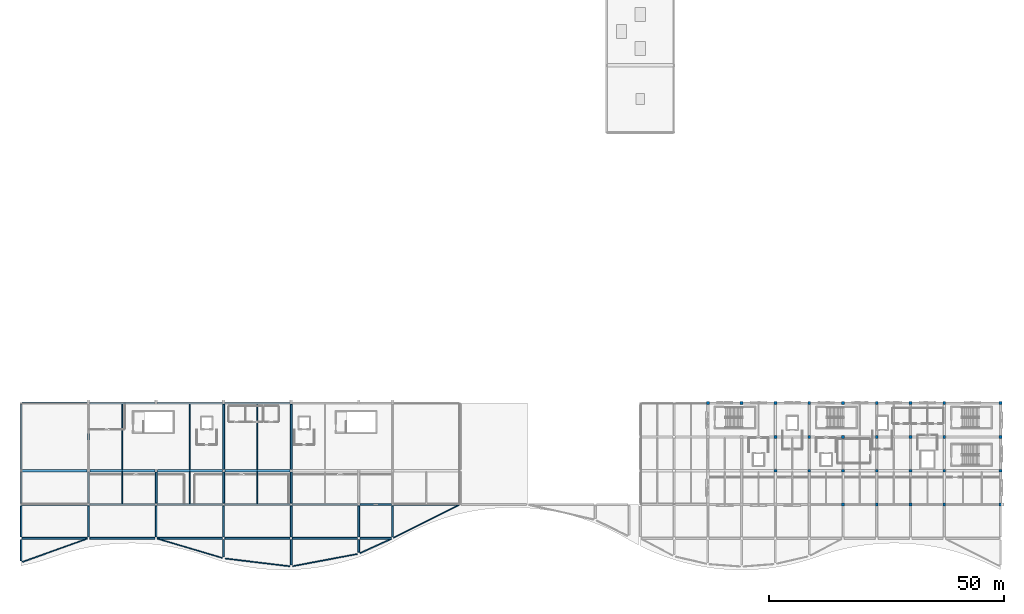
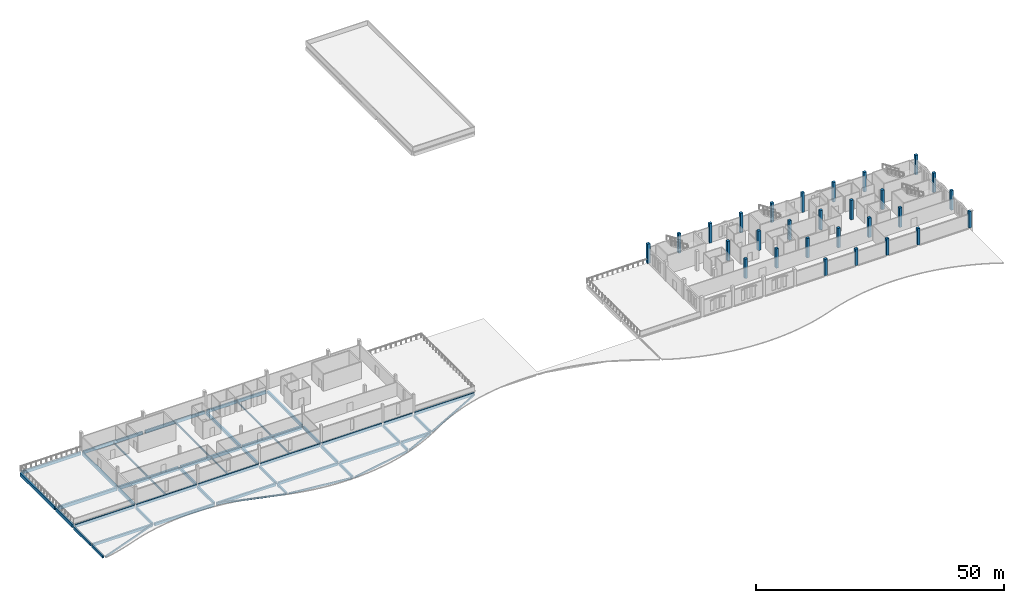
# One storey, part 2 of 23: 53 beams, 28 columns.
"""IFC4 building model written with IfcOpenShell, lengths in metres."""

from ifc_helpers import new_model, si_unit, direction, frame, origin, origin_2d, place, context, subcontext, project, spatial, rectangle, hollow_rectangle, i_section, extrude, material, material_profile, profile_set, type_object, element, save


model = new_model("IFC4")

# Units and contexts
model_context = context("Model", 3, precision=1e-05, world=origin(), true_north=direction((0.0, 1.0)))
body_context = subcontext(model_context, "Body", "Model", "MODEL_VIEW")
ifc_project = project(units=[si_unit("LENGTHUNIT", "METRE"), si_unit("AREAUNIT", "SQUARE_METRE"), si_unit("VOLUMEUNIT", "CUBIC_METRE"), si_unit("PLANEANGLEUNIT", "RADIAN"), si_unit("MASSUNIT", "GRAM", prefix="KILO")], contexts=[model_context])

# Site, building, storey
site_placement = place(None, origin())
site = spatial("IfcSite", under=ifc_project, at=site_placement, CompositionType="ELEMENT")
building_placement = place(site_placement, origin())
building = spatial("IfcBuilding", under=site, at=building_placement, Name="Cendralis Lancet Convention Centre", CompositionType="ELEMENT")
storey_placement = place(building_placement, frame((0.0, 0.0, 19.800048828125)))
storey = spatial("IfcBuildingStorey", under=building, at=storey_placement, Name="L04", CompositionType="ELEMENT", Elevation=19.800048828125)

# Columns
ifc_material_1 = material(Name="Concrete G40 (C40/50)", Category="concrete")
ifc_material_profile_1 = material_profile(ifc_material_1, rectangle(XDim=0.60009765625, YDim=0.60009765625, at=origin_2d()), Name="RC 600x600")
ifc_profile_set_1 = profile_set([ifc_material_profile_1], Name="Concrete G40 (C40/50)")
column_type_1 = type_object("IfcColumnType", Name="STR-COL-C09", PredefinedType="COLUMN", material=ifc_profile_set_1)
for number, where, z_axis, x_axis, name in (
    (1, (146.39990234375, 36.0, 0.0), (0.0, 0.0, 1.0), (1.0, 0.0, 0.0), "L04 Column C09 at 146.4,36.0"),
    (2, (153.60009765625, 36.0, 0.0), (0.0, 0.0, 1.0), (1.0, 0.0, 0.0), "L04 Column C09 at 153.6,36.0"),
    (3, (160.800048828125, 36.0, 0.0), (0.0, 0.0, 1.0), (1.0, 0.0, 0.0), "L04 Column C09 at 160.8,36.0"),
    (4, (168.0, 36.0, 0.0), (0.0, 0.0, 1.0), (1.0, 0.0, 0.0), "L04 Column C09 at 168.0,36.0"),
):
    element("IfcColumn", number, at=place(storey_placement, frame(where, z_axis=z_axis, x_axis=x_axis)), inside=storey, type_object=column_type_1, Name=name, PredefinedType="COLUMN", context=body_context, shape_type="SweptSolid", body=[
        extrude(rectangle(XDim=0.60009765625, YDim=0.60009765625, at=origin_2d()), origin(), (0.0, 0.0, 1.0), 4.800048828125),
    ])
column_1_placement = place(storey_placement, frame((175.199951171875, 14.39990234375, 0.0), z_axis=(0.0, 0.0, 1.0), x_axis=(1.0, 0.0, 0.0)))
element("IfcColumn", 5, at=column_1_placement, inside=storey, type_object=column_type_1, Name="L04 Column C09 at 175.2,14.4", PredefinedType="COLUMN", context=body_context, shape_type="SweptSolid", body=[
    extrude(rectangle(XDim=0.60009765625, YDim=0.60009765625, at=origin_2d()), origin(), (0.0, 0.0, 1.0), 4.050048828125),
])
column_2_placement = place(storey_placement, frame((175.199951171875, 36.0, 0.0), z_axis=(0.0, 0.0, 1.0), x_axis=(1.0, 0.0, 0.0)))
element("IfcColumn", 6, at=column_2_placement, inside=storey, type_object=column_type_1, Name="L04 Column C09 at 175.2,36.0", PredefinedType="COLUMN", context=body_context, shape_type="SweptSolid", body=[
    extrude(rectangle(XDim=0.60009765625, YDim=0.60009765625, at=origin_2d()), origin(), (0.0, 0.0, 1.0), 4.800048828125),
])
column_3_placement = place(storey_placement, frame((182.39990234375, 14.39990234375, 0.0), z_axis=(0.0, 0.0, 1.0), x_axis=(1.0, 0.0, 0.0)))
element("IfcColumn", 7, at=column_3_placement, inside=storey, type_object=column_type_1, Name="L04 Column C09 at 182.4,14.4", PredefinedType="COLUMN", context=body_context, shape_type="SweptSolid", body=[
    extrude(rectangle(XDim=0.60009765625, YDim=0.60009765625, at=origin_2d()), origin(), (0.0, 0.0, 1.0), 4.050048828125),
])
column_4_placement = place(storey_placement, frame((182.39990234375, 36.0, 0.0), z_axis=(0.0, 0.0, 1.0), x_axis=(1.0, 0.0, 0.0)))
element("IfcColumn", 8, at=column_4_placement, inside=storey, type_object=column_type_1, Name="L04 Column C09 at 182.4,36.0", PredefinedType="COLUMN", context=body_context, shape_type="SweptSolid", body=[
    extrude(rectangle(XDim=0.60009765625, YDim=0.60009765625, at=origin_2d()), origin(), (0.0, 0.0, 1.0), 4.800048828125),
])
column_5_placement = place(storey_placement, frame((189.60009765625, 14.39990234375, 0.0), z_axis=(0.0, 0.0, 1.0), x_axis=(1.0, 0.0, 0.0)))
element("IfcColumn", 9, at=column_5_placement, inside=storey, type_object=column_type_1, Name="L04 Column C09 at 189.6,14.4", PredefinedType="COLUMN", context=body_context, shape_type="SweptSolid", body=[
    extrude(rectangle(XDim=0.60009765625, YDim=0.60009765625, at=origin_2d()), origin(), (0.0, 0.0, 1.0), 4.050048828125),
])
column_6_placement = place(storey_placement, frame((189.60009765625, 36.0, 0.0), z_axis=(0.0, 0.0, 1.0), x_axis=(1.0, 0.0, 0.0)))
element("IfcColumn", 10, at=column_6_placement, inside=storey, type_object=column_type_1, Name="L04 Column C09 at 189.6,36.0", PredefinedType="COLUMN", context=body_context, shape_type="SweptSolid", body=[
    extrude(rectangle(XDim=0.60009765625, YDim=0.60009765625, at=origin_2d()), origin(), (0.0, 0.0, 1.0), 4.800048828125),
])
column_7_placement = place(storey_placement, frame((196.800048828125, 14.39990234375, 0.0), z_axis=(0.0, 0.0, 1.0), x_axis=(1.0, 0.0, 0.0)))
element("IfcColumn", 11, at=column_7_placement, inside=storey, type_object=column_type_1, Name="L04 Column C09 at 196.8,14.4", PredefinedType="COLUMN", context=body_context, shape_type="SweptSolid", body=[
    extrude(rectangle(XDim=0.60009765625, YDim=0.60009765625, at=origin_2d()), origin(), (0.0, 0.0, 1.0), 4.050048828125),
])
column_8_placement = place(storey_placement, frame((196.800048828125, 36.0, 0.0), z_axis=(0.0, 0.0, 1.0), x_axis=(1.0, 0.0, 0.0)))
element("IfcColumn", 12, at=column_8_placement, inside=storey, type_object=column_type_1, Name="L04 Column C09 at 196.8,36.0", PredefinedType="COLUMN", context=body_context, shape_type="SweptSolid", body=[
    extrude(rectangle(XDim=0.60009765625, YDim=0.60009765625, at=origin_2d()), origin(), (0.0, 0.0, 1.0), 4.800048828125),
])
column_9_placement = place(storey_placement, frame((208.800048828125, 14.39990234375, 0.0), z_axis=(0.0, 0.0, 1.0), x_axis=(1.0, 0.0, 0.0)))
element("IfcColumn", 13, at=column_9_placement, inside=storey, type_object=column_type_1, Name="L04 Column C09 at 208.8,14.4", PredefinedType="COLUMN", context=body_context, shape_type="SweptSolid", body=[
    extrude(rectangle(XDim=0.60009765625, YDim=0.60009765625, at=origin_2d()), origin(), (0.0, 0.0, 1.0), 4.050048828125),
])
for number, where, z_axis, x_axis, name in (
    (14, (208.800048828125, 21.60009765625, 0.0), (0.0, 0.0, 1.0), (1.0, 0.0, 0.0), "L04 Column C09 at 208.8,21.6"),
    (15, (208.800048828125, 28.800048828125, 0.0), (0.0, 0.0, 1.0), (1.0, 0.0, 0.0), "L04 Column C09 at 208.8,28.8"),
    (16, (208.800048828125, 36.0, 0.0), (0.0, 0.0, 1.0), (1.0, 0.0, 0.0), "L04 Column C09 at 208.8,36.0"),
):
    element("IfcColumn", number, at=place(storey_placement, frame(where, z_axis=z_axis, x_axis=x_axis)), inside=storey, type_object=column_type_1, Name=name, PredefinedType="COLUMN", context=body_context, shape_type="SweptSolid", body=[
        extrude(rectangle(XDim=0.60009765625, YDim=0.60009765625, at=origin_2d()), origin(), (0.0, 0.0, 1.0), 4.800048828125),
    ])
ifc_material_profile_2 = material_profile(ifc_material_1, rectangle(XDim=0.60009765625, YDim=0.60009765625, at=origin_2d()), Name="RC 600x600")
ifc_profile_set_2 = profile_set([ifc_material_profile_2], Name="Concrete G40 (C40/50)")
column_type_2 = type_object("IfcColumnType", Name="STR-COL-C09-INT", PredefinedType="COLUMN", material=ifc_profile_set_2)
for number, where, z_axis, x_axis, name in (
    (17, (160.800048828125, 21.60009765625, 0.0), (0.0, 0.0, 1.0), (1.0, 0.0, 0.0), "L04 Column C09 at 160.8,21.6"),
    (18, (160.800048828125, 28.800048828125, 0.0), (0.0, 0.0, 1.0), (1.0, 0.0, 0.0), "L04 Column C09 at 160.8,28.8"),
    (19, (168.0, 21.60009765625, 0.0), (0.0, 0.0, 1.0), (1.0, 0.0, 0.0), "L04 Column C09 at 168.0,21.6"),
    (20, (168.0, 28.800048828125, 0.0), (0.0, 0.0, 1.0), (1.0, 0.0, 0.0), "L04 Column C09 at 168.0,28.8"),
    (21, (175.199951171875, 21.60009765625, 0.0), (0.0, 0.0, 1.0), (1.0, 0.0, 0.0), "L04 Column C09 at 175.2,21.6"),
    (22, (175.199951171875, 28.800048828125, 0.0), (0.0, 0.0, 1.0), (1.0, 0.0, 0.0), "L04 Column C09 at 175.2,28.8"),
    (23, (182.39990234375, 21.60009765625, 0.0), (0.0, 0.0, 1.0), (1.0, 0.0, 0.0), "L04 Column C09 at 182.4,21.6"),
    (24, (182.39990234375, 28.800048828125, 0.0), (0.0, 0.0, 1.0), (1.0, 0.0, 0.0), "L04 Column C09 at 182.4,28.8"),
    (25, (189.60009765625, 21.60009765625, 0.0), (0.0, 0.0, 1.0), (1.0, 0.0, 0.0), "L04 Column C09 at 189.6,21.6"),
    (26, (189.60009765625, 28.800048828125, 0.0), (0.0, 0.0, 1.0), (1.0, 0.0, 0.0), "L04 Column C09 at 189.6,28.8"),
    (27, (196.800048828125, 21.60009765625, 0.0), (0.0, 0.0, 1.0), (1.0, 0.0, 0.0), "L04 Column C09 at 196.8,21.6"),
    (28, (196.800048828125, 28.800048828125, 0.0), (0.0, 0.0, 1.0), (1.0, 0.0, 0.0), "L04 Column C09 at 196.8,28.8"),
):
    element("IfcColumn", number, at=place(storey_placement, frame(where, z_axis=z_axis, x_axis=x_axis)), inside=storey, type_object=column_type_2, Name=name, PredefinedType="COLUMN", context=body_context, shape_type="SweptSolid", body=[
        extrude(rectangle(XDim=0.60009765625, YDim=0.60009765625, at=origin_2d()), origin(), (0.0, 0.0, 1.0), 4.800048828125),
    ])

# Beams
ifc_material_2 = material(Name="Concrete G35 (C35/45)", Category="concrete")
ifc_material_profile_3 = material_profile(ifc_material_2, rectangle(XDim=0.449951171875, YDim=0.800048828125, at=origin_2d()), Name="RCB 450x800")
ifc_profile_set_3 = profile_set([ifc_material_profile_3], Name="Concrete G35 (C35/45)")
beam_type_1 = type_object("IfcBeamType", Name="STR-BM-BG10", PredefinedType="BEAM", material=ifc_profile_set_3)
beam_1_placement = place(storey_placement, frame((0.27490234375, 21.60009765625, -0.650146484375), z_axis=(1.0, 0.0, 0.0), x_axis=(0.0, 1.0, 0.0)))
element("IfcBeam", 29, at=beam_1_placement, inside=storey, type_object=beam_type_1, Name="L04 Beam BG10 #0983", PredefinedType="BEAM", context=body_context, shape_type="SweptSolid", body=[
    extrude(rectangle(XDim=0.449951171875, YDim=0.800048828125, at=origin_2d()), origin(), (0.0, 0.0, 1.0), 13.85009765625),
])
beam_2_placement = place(storey_placement, frame((14.675048828125, 21.60009765625, -0.650146484375), z_axis=(1.0, 0.0, 0.0), x_axis=(0.0, 1.0, 0.0)))
element("IfcBeam", 30, at=beam_2_placement, inside=storey, type_object=beam_type_1, Name="L04 Beam BG10 #0984", PredefinedType="BEAM", context=body_context, shape_type="SweptSolid", body=[
    extrude(rectangle(XDim=0.449951171875, YDim=0.800048828125, at=origin_2d()), origin(), (0.0, 0.0, 1.0), 13.849853515625),
])
beam_3_placement = place(storey_placement, frame((29.074951171875, 21.60009765625, -0.650146484375), z_axis=(1.0, 0.0, 0.0), x_axis=(0.0, 1.0, 0.0)))
element("IfcBeam", 31, at=beam_3_placement, inside=storey, type_object=beam_type_1, Name="L04 Beam BG10 #0985", PredefinedType="BEAM", context=body_context, shape_type="SweptSolid", body=[
    extrude(rectangle(XDim=0.449951171875, YDim=0.800048828125, at=origin_2d()), origin(), (0.0, 0.0, 1.0), 13.85009765625),
])
beam_4_placement = place(storey_placement, frame((43.47509765625, 21.60009765625, -0.650146484375), z_axis=(1.0, 0.0, 0.0), x_axis=(0.0, 1.0, 0.0)))
element("IfcBeam", 32, at=beam_4_placement, inside=storey, type_object=beam_type_1, Name="L04 Beam BG10 #0986", PredefinedType="BEAM", context=body_context, shape_type="SweptSolid", body=[
    extrude(rectangle(XDim=0.449951171875, YDim=0.800048828125, at=origin_2d()), origin(), (0.0, 0.0, 1.0), 13.849853515625),
])
ifc_material_profile_4 = material_profile(ifc_material_2, rectangle(XDim=0.39990234375, YDim=0.699951171875, at=origin_2d()), Name="RCB 400x700")
ifc_profile_set_4 = profile_set([ifc_material_profile_4], Name="Concrete G35 (C35/45)")
beam_type_2 = type_object("IfcBeamType", Name="STR-BM-BG13", PredefinedType="BEAM", material=ifc_profile_set_4)
beam_5_placement = place(storey_placement, frame((14.39990234375, 14.675048828125, -0.60009765625), z_axis=(0.0, 1.0, 0.0), x_axis=(-1.0, 0.0, 0.0)))
element("IfcBeam", 33, at=beam_5_placement, inside=storey, type_object=beam_type_2, Name="L04 Beam BG13 #0999", PredefinedType="BEAM", context=body_context, shape_type="SweptSolid", body=[
    extrude(rectangle(XDim=0.39990234375, YDim=0.699951171875, at=origin_2d()), origin(), (0.0, 0.0, 1.0), 6.64990234375),
])
beam_6_placement = place(storey_placement, frame((14.39990234375, 21.875, -0.60009765625), z_axis=(0.0, 1.0, 0.0), x_axis=(-1.0, 0.0, 0.0)))
element("IfcBeam", 34, at=beam_6_placement, inside=storey, type_object=beam_type_2, Name="L04 Beam BG13 #1000", PredefinedType="BEAM", context=body_context, shape_type="SweptSolid", body=[
    extrude(rectangle(XDim=0.39990234375, YDim=0.699951171875, at=origin_2d()), origin(), (0.0, 0.0, 1.0), 13.85009765625),
])
for number, where, z_axis, x_axis, name in (
    (35, (28.800048828125, 14.675048828125, -0.60009765625), (0.0, 1.0, 0.0), (-1.0, 0.0, 0.0), "L04 Beam BG13 #1001"),
    (36, (43.199951171875, 14.675048828125, -0.60009765625), (0.0, 1.0, 0.0), (-1.0, 0.0, 0.0), "L04 Beam BG13 #1002"),
):
    element("IfcBeam", number, at=place(storey_placement, frame(where, z_axis=z_axis, x_axis=x_axis)), inside=storey, type_object=beam_type_2, Name=name, PredefinedType="BEAM", context=body_context, shape_type="SweptSolid", body=[
        extrude(rectangle(XDim=0.39990234375, YDim=0.699951171875, at=origin_2d()), origin(), (0.0, 0.0, 1.0), 6.64990234375),
    ])
beam_7_placement = place(storey_placement, frame((43.199951171875, 21.875, -0.60009765625), z_axis=(0.0, 1.0, 0.0), x_axis=(-1.0, 0.0, 0.0)))
element("IfcBeam", 37, at=beam_7_placement, inside=storey, type_object=beam_type_2, Name="L04 Beam BG13 #1003", PredefinedType="BEAM", context=body_context, shape_type="SweptSolid", body=[
    extrude(rectangle(XDim=0.39990234375, YDim=0.699951171875, at=origin_2d()), origin(), (0.0, 0.0, 1.0), 13.85009765625),
])
beam_8_placement = place(storey_placement, frame((57.60009765625, 14.675048828125, -0.60009765625), z_axis=(0.0, 1.0, 0.0), x_axis=(-1.0, 0.0, 0.0)))
element("IfcBeam", 38, at=beam_8_placement, inside=storey, type_object=beam_type_2, Name="L04 Beam BG13 #1004", PredefinedType="BEAM", context=body_context, shape_type="SweptSolid", body=[
    extrude(rectangle(XDim=0.39990234375, YDim=0.699951171875, at=origin_2d()), origin(), (0.0, 0.0, 1.0), 6.64990234375),
])
beam_9_placement = place(storey_placement, frame((57.60009765625, 21.875, -0.60009765625), z_axis=(0.0, 1.0, 0.0), x_axis=(-1.0, 0.0, 0.0)))
element("IfcBeam", 39, at=beam_9_placement, inside=storey, type_object=beam_type_2, Name="L04 Beam BG13 #1005", PredefinedType="BEAM", context=body_context, shape_type="SweptSolid", body=[
    extrude(rectangle(XDim=0.39990234375, YDim=0.699951171875, at=origin_2d()), origin(), (0.0, 0.0, 1.0), 13.85009765625),
])
ifc_material_profile_5 = material_profile(ifc_material_2, rectangle(XDim=0.39990234375, YDim=0.64990234375, at=origin_2d()), Name="RCB 400x650")
ifc_profile_set_5 = profile_set([ifc_material_profile_5], Name="Concrete G35 (C35/45)")
beam_type_3 = type_object("IfcBeamType", Name="STR-BM-BG14", PredefinedType="BEAM", material=ifc_profile_set_5)
beam_10_placement = place(storey_placement, frame((0.27490234375, 7.199951171875, -0.89501953125), z_axis=(1.0, 0.0, 0.0), x_axis=(0.0, 1.0, 0.0)))
element("IfcBeam", 40, at=beam_10_placement, inside=storey, type_object=beam_type_3, Name="L04 Beam BG14 #1140", PredefinedType="BEAM", context=body_context, shape_type="SweptSolid", body=[
    extrude(rectangle(XDim=0.39990234375, YDim=0.64990234375, at=origin_2d()), origin(), (0.0, 0.0, 1.0), 13.85009765625),
])
beam_11_placement = place(storey_placement, frame((14.675048828125, 7.199951171875, -0.89501953125), z_axis=(1.0, 0.0, 0.0), x_axis=(0.0, 1.0, 0.0)))
element("IfcBeam", 41, at=beam_11_placement, inside=storey, type_object=beam_type_3, Name="L04 Beam BG14 #1141", PredefinedType="BEAM", context=body_context, shape_type="SweptSolid", body=[
    extrude(rectangle(XDim=0.39990234375, YDim=0.64990234375, at=origin_2d()), origin(), (0.0, 0.0, 1.0), 13.849853515625),
])
beam_12_placement = place(storey_placement, frame((29.074951171875, 7.199951171875, -0.89501953125), z_axis=(1.0, 0.0, 0.0), x_axis=(0.0, 1.0, 0.0)))
element("IfcBeam", 42, at=beam_12_placement, inside=storey, type_object=beam_type_3, Name="L04 Beam BG14 #1142", PredefinedType="BEAM", context=body_context, shape_type="SweptSolid", body=[
    extrude(rectangle(XDim=0.39990234375, YDim=0.64990234375, at=origin_2d()), origin(), (0.0, 0.0, 1.0), 13.85009765625),
])
beam_13_placement = place(storey_placement, frame((43.47509765625, 7.199951171875, -0.89501953125), z_axis=(1.0, 0.0, 0.0), x_axis=(0.0, 1.0, 0.0)))
element("IfcBeam", 43, at=beam_13_placement, inside=storey, type_object=beam_type_3, Name="L04 Beam BG14 #1143", PredefinedType="BEAM", context=body_context, shape_type="SweptSolid", body=[
    extrude(rectangle(XDim=0.39990234375, YDim=0.64990234375, at=origin_2d()), origin(), (0.0, 0.0, 1.0), 13.849853515625),
])
beam_14_placement = place(storey_placement, frame((57.875, 7.199951171875, -0.89501953125), z_axis=(1.0, 0.0, 0.0), x_axis=(0.0, 1.0, 0.0)))
element("IfcBeam", 44, at=beam_14_placement, inside=storey, type_object=beam_type_3, Name="L04 Beam BG14 #1144", PredefinedType="BEAM", context=body_context, shape_type="SweptSolid", body=[
    extrude(rectangle(XDim=0.39990234375, YDim=0.64990234375, at=origin_2d()), origin(), (0.0, 0.0, 1.0), 13.85009765625),
])
beam_15_placement = place(storey_placement, frame((72.27490234375, 7.199951171875, -0.89501953125), z_axis=(1.0, 0.0, 0.0), x_axis=(0.0, 1.0, 0.0)))
element("IfcBeam", 45, at=beam_15_placement, inside=storey, type_object=beam_type_3, Name="L04 Beam BG14 #1145", PredefinedType="BEAM", context=body_context, shape_type="SweptSolid", body=[
    extrude(rectangle(XDim=0.39990234375, YDim=0.64990234375, at=origin_2d()), origin(), (0.0, 0.0, 1.0), 6.650146484375),
])
ifc_material_profile_6 = material_profile(ifc_material_2, rectangle(XDim=0.35009765625, YDim=0.64990234375, at=origin_2d()), Name="RCB 350x650")
ifc_profile_set_6 = profile_set([ifc_material_profile_6], Name="Concrete G35 (C35/45)")
beam_type_4 = type_object("IfcBeamType", Name="STR-BM-BG15", PredefinedType="BEAM", material=ifc_profile_set_6)
for number, where, z_axis, x_axis, name in (
    (46, (0.0, 7.47509765625, -0.89501953125), (0.0, 1.0, 0.0), (-1.0, 0.0, 0.0), "L04 Beam BG15 #1146"),
    (47, (14.39990234375, 7.47509765625, -0.89501953125), (0.0, 1.0, 0.0), (-1.0, 0.0, 0.0), "L04 Beam BG15 #1147"),
    (48, (28.800048828125, 7.47509765625, -0.89501953125), (0.0, 1.0, 0.0), (-1.0, 0.0, 0.0), "L04 Beam BG15 #1148"),
    (49, (43.199951171875, 7.47509765625, -0.89501953125), (0.0, 1.0, 0.0), (-1.0, 0.0, 0.0), "L04 Beam BG15 #1149"),
    (50, (57.60009765625, 7.47509765625, -0.89501953125), (0.0, 1.0, 0.0), (-1.0, 0.0, 0.0), "L04 Beam BG15 #1150"),
    (51, (72.0, 7.47509765625, -0.89501953125), (0.0, 1.0, 0.0), (-1.0, 0.0, 0.0), "L04 Beam BG15 #1151"),
    (52, (79.199951171875, 7.47509765625, -0.89501953125), (0.0, 1.0, 0.0), (-1.0, 0.0, 0.0), "L04 Beam BG15 #1152"),
):
    element("IfcBeam", number, at=place(storey_placement, frame(where, z_axis=z_axis, x_axis=x_axis)), inside=storey, type_object=beam_type_4, Name=name, PredefinedType="BEAM", context=body_context, shape_type="SweptSolid", body=[
        extrude(rectangle(XDim=0.35009765625, YDim=0.64990234375, at=origin_2d()), origin(), (0.0, 0.0, 1.0), 6.64990234375),
    ])
ifc_material_profile_7 = material_profile(ifc_material_2, rectangle(XDim=0.35009765625, YDim=0.60009765625, at=origin_2d()), Name="RCB 350x600")
ifc_profile_set_7 = profile_set([ifc_material_profile_7], Name="Concrete G35 (C35/45)")
beam_type_5 = type_object("IfcBeamType", Name="STR-BM-BG16", PredefinedType="BEAM", material=ifc_profile_set_7)
beam_16_placement = place(storey_placement, frame((0.0, 2.370361328125, -0.8701171875), z_axis=(0.0, 1.0, 0.0), x_axis=(-1.0, 0.0, 0.0)))
element("IfcBeam", 53, at=beam_16_placement, inside=storey, type_object=beam_type_5, Name="L04 Beam BG16 #1128", PredefinedType="BEAM", context=body_context, shape_type="SweptSolid", body=[
    extrude(rectangle(XDim=0.35009765625, YDim=0.60009765625, at=origin_2d()), origin(), (0.0, 0.0, 1.0), 4.5546875),
])
beam_17_placement = place(storey_placement, frame((43.199951171875, 3.24658203125, -0.8701171875), z_axis=(0.0, 1.0, 0.0), x_axis=(-1.0, 0.0, 0.0)))
element("IfcBeam", 54, at=beam_17_placement, inside=storey, type_object=beam_type_5, Name="L04 Beam BG16 #1129", PredefinedType="BEAM", context=body_context, shape_type="SweptSolid", body=[
    extrude(rectangle(XDim=0.35009765625, YDim=0.60009765625, at=origin_2d()), origin(), (0.0, 0.0, 1.0), 3.678466796875),
])
beam_18_placement = place(storey_placement, frame((57.60009765625, 1.52001953125, -0.8701171875), z_axis=(0.0, 1.0, 0.0), x_axis=(-1.0, 0.0, 0.0)))
element("IfcBeam", 55, at=beam_18_placement, inside=storey, type_object=beam_type_5, Name="L04 Beam BG16 #1130", PredefinedType="BEAM", context=body_context, shape_type="SweptSolid", body=[
    extrude(rectangle(XDim=0.35009765625, YDim=0.60009765625, at=origin_2d()), origin(), (0.0, 0.0, 1.0), 5.405029296875),
])
beam_19_placement = place(storey_placement, frame((72.0, 4.222900390625, -0.8701171875), z_axis=(0.0, 1.0, 0.0), x_axis=(-1.0, 0.0, 0.0)))
element("IfcBeam", 56, at=beam_19_placement, inside=storey, type_object=beam_type_5, Name="L04 Beam BG16 #1131", PredefinedType="BEAM", context=body_context, shape_type="SweptSolid", body=[
    extrude(rectangle(XDim=0.35009765625, YDim=0.60009765625, at=origin_2d()), origin(), (0.0, 0.0, 1.0), 2.7021484375),
])
ifc_material_3 = material(Name="Steel S355", Category="steel")
ifc_material_profile_8 = material_profile(ifc_material_3, i_section(OverallWidth=0.18994140625, OverallDepth=0.449951171875, WebThickness=0.009521484375, FlangeThickness=0.0146484375, FilletRadius=0.02099609375, at=origin_2d()), Name="IPE 450")
ifc_profile_set_8 = profile_set([ifc_material_profile_8], Name="Steel S355")
beam_type_6 = type_object("IfcBeamType", Name="STR-JS-BJ07", PredefinedType="JOIST", material=ifc_profile_set_8)
beam_20_placement = place(storey_placement, frame((21.60009765625, 14.574951171875, -0.47509765625), z_axis=(0.0, 1.0, 0.0), x_axis=(-1.0, 0.0, 0.0)))
element("IfcBeam", 57, at=beam_20_placement, inside=storey, type_object=beam_type_6, Name="L04 Beam BJ07 #1011", PredefinedType="JOIST", context=body_context, shape_type="SweptSolid", body=[
    extrude(i_section(OverallWidth=0.18994140625, OverallDepth=0.449951171875, WebThickness=0.009521484375, FlangeThickness=0.0146484375, FilletRadius=0.02099609375, at=origin_2d()), origin(), (0.0, 0.0, 1.0), 6.800048828125),
])
beam_21_placement = place(storey_placement, frame((21.60009765625, 21.824951171875, -0.47509765625), z_axis=(0.0, 1.0, 0.0), x_axis=(-1.0, 0.0, 0.0)))
element("IfcBeam", 58, at=beam_21_placement, inside=storey, type_object=beam_type_6, Name="L04 Beam BJ07 #1012", PredefinedType="JOIST", context=body_context, shape_type="SweptSolid", body=[
    extrude(i_section(OverallWidth=0.18994140625, OverallDepth=0.449951171875, WebThickness=0.009521484375, FlangeThickness=0.0146484375, FilletRadius=0.02099609375, at=origin_2d()), origin(), (0.0, 0.0, 1.0), 14.0),
])
beam_22_placement = place(storey_placement, frame((36.0, 14.574951171875, -0.47509765625), z_axis=(0.0, 1.0, 0.0), x_axis=(-1.0, 0.0, 0.0)))
element("IfcBeam", 59, at=beam_22_placement, inside=storey, type_object=beam_type_6, Name="L04 Beam BJ07 #1013", PredefinedType="JOIST", context=body_context, shape_type="SweptSolid", body=[
    extrude(i_section(OverallWidth=0.18994140625, OverallDepth=0.449951171875, WebThickness=0.009521484375, FlangeThickness=0.0146484375, FilletRadius=0.02099609375, at=origin_2d()), origin(), (0.0, 0.0, 1.0), 6.800048828125),
])
beam_23_placement = place(storey_placement, frame((36.0, 21.824951171875, -0.47509765625), z_axis=(0.0, 1.0, 0.0), x_axis=(-1.0, 0.0, 0.0)))
element("IfcBeam", 60, at=beam_23_placement, inside=storey, type_object=beam_type_6, Name="L04 Beam BJ07 #1014", PredefinedType="JOIST", context=body_context, shape_type="SweptSolid", body=[
    extrude(i_section(OverallWidth=0.18994140625, OverallDepth=0.449951171875, WebThickness=0.009521484375, FlangeThickness=0.0146484375, FilletRadius=0.02099609375, at=origin_2d()), origin(), (0.0, 0.0, 1.0), 14.0),
])
beam_24_placement = place(storey_placement, frame((50.39990234375, 14.574951171875, -0.47509765625), z_axis=(0.0, 1.0, 0.0), x_axis=(-1.0, 0.0, 0.0)))
element("IfcBeam", 61, at=beam_24_placement, inside=storey, type_object=beam_type_6, Name="L04 Beam BJ07 #1015", PredefinedType="JOIST", context=body_context, shape_type="SweptSolid", body=[
    extrude(i_section(OverallWidth=0.18994140625, OverallDepth=0.449951171875, WebThickness=0.009521484375, FlangeThickness=0.0146484375, FilletRadius=0.02099609375, at=origin_2d()), origin(), (0.0, 0.0, 1.0), 6.800048828125),
])
beam_25_placement = place(storey_placement, frame((50.39990234375, 21.824951171875, -0.47509765625), z_axis=(0.0, 1.0, 0.0), x_axis=(-1.0, 0.0, 0.0)))
element("IfcBeam", 62, at=beam_25_placement, inside=storey, type_object=beam_type_6, Name="L04 Beam BJ07 #1016", PredefinedType="JOIST", context=body_context, shape_type="SweptSolid", body=[
    extrude(i_section(OverallWidth=0.18994140625, OverallDepth=0.449951171875, WebThickness=0.009521484375, FlangeThickness=0.0146484375, FilletRadius=0.02099609375, at=origin_2d()), origin(), (0.0, 0.0, 1.0), 14.0),
])
ifc_material_profile_9 = material_profile(ifc_material_1, rectangle(XDim=0.35009765625, YDim=0.75, at=origin_2d()), Name="RCB 350x750")
ifc_profile_set_9 = profile_set([ifc_material_profile_9], Name="Concrete G40 (C40/50)")
beam_type_7 = type_object("IfcBeamType", Name="STR-SP-SP01", PredefinedType="SPANDREL", material=ifc_profile_set_9)
beam_26_placement = place(storey_placement, frame((0.27490234375, 14.39990234375, -0.625), z_axis=(1.0, 0.0, 0.0), x_axis=(0.0, 1.0, 0.0)))
element("IfcBeam", 63, at=beam_26_placement, inside=storey, type_object=beam_type_7, Name="L04 Beam SP01 #0976", PredefinedType="SPANDREL", context=body_context, shape_type="SweptSolid", body=[
    extrude(rectangle(XDim=0.35009765625, YDim=0.75, at=origin_2d()), origin(), (0.0, 0.0, 1.0), 13.85009765625),
])
beam_27_placement = place(storey_placement, frame((14.675048828125, 14.39990234375, -0.625), z_axis=(1.0, 0.0, 0.0), x_axis=(0.0, 1.0, 0.0)))
element("IfcBeam", 64, at=beam_27_placement, inside=storey, type_object=beam_type_7, Name="L04 Beam SP01 #0977", PredefinedType="SPANDREL", context=body_context, shape_type="SweptSolid", body=[
    extrude(rectangle(XDim=0.35009765625, YDim=0.75, at=origin_2d()), origin(), (0.0, 0.0, 1.0), 13.849853515625),
])
beam_28_placement = place(storey_placement, frame((29.074951171875, 14.39990234375, -0.625), z_axis=(1.0, 0.0, 0.0), x_axis=(0.0, 1.0, 0.0)))
element("IfcBeam", 65, at=beam_28_placement, inside=storey, type_object=beam_type_7, Name="L04 Beam SP01 #0978", PredefinedType="SPANDREL", context=body_context, shape_type="SweptSolid", body=[
    extrude(rectangle(XDim=0.35009765625, YDim=0.75, at=origin_2d()), origin(), (0.0, 0.0, 1.0), 13.85009765625),
])
beam_29_placement = place(storey_placement, frame((43.47509765625, 14.39990234375, -0.625), z_axis=(1.0, 0.0, 0.0), x_axis=(0.0, 1.0, 0.0)))
element("IfcBeam", 66, at=beam_29_placement, inside=storey, type_object=beam_type_7, Name="L04 Beam SP01 #0979", PredefinedType="SPANDREL", context=body_context, shape_type="SweptSolid", body=[
    extrude(rectangle(XDim=0.35009765625, YDim=0.75, at=origin_2d()), origin(), (0.0, 0.0, 1.0), 13.849853515625),
])
beam_30_placement = place(storey_placement, frame((57.875, 14.39990234375, -0.625), z_axis=(1.0, 0.0, 0.0), x_axis=(0.0, 1.0, 0.0)))
element("IfcBeam", 67, at=beam_30_placement, inside=storey, type_object=beam_type_7, Name="L04 Beam SP01 #0980", PredefinedType="SPANDREL", context=body_context, shape_type="SweptSolid", body=[
    extrude(rectangle(XDim=0.35009765625, YDim=0.75, at=origin_2d()), origin(), (0.0, 0.0, 1.0), 13.85009765625),
])
beam_31_placement = place(storey_placement, frame((72.27490234375, 14.39990234375, -0.625), z_axis=(1.0, 0.0, 0.0), x_axis=(0.0, 1.0, 0.0)))
element("IfcBeam", 68, at=beam_31_placement, inside=storey, type_object=beam_type_7, Name="L04 Beam SP01 #0981", PredefinedType="SPANDREL", context=body_context, shape_type="SweptSolid", body=[
    extrude(rectangle(XDim=0.35009765625, YDim=0.75, at=origin_2d()), origin(), (0.0, 0.0, 1.0), 6.650146484375),
])
beam_32_placement = place(storey_placement, frame((79.47509765625, 14.39990234375, -0.625), z_axis=(1.0, 0.0, 0.0), x_axis=(0.0, 1.0, 0.0)))
element("IfcBeam", 69, at=beam_32_placement, inside=storey, type_object=beam_type_7, Name="L04 Beam SP01 #0982", PredefinedType="SPANDREL", context=body_context, shape_type="SweptSolid", body=[
    extrude(rectangle(XDim=0.35009765625, YDim=0.75, at=origin_2d()), origin(), (0.0, 0.0, 1.0), 13.849853515625),
])
beam_33_placement = place(storey_placement, frame((0.27490234375, 36.0, -0.625), z_axis=(1.0, 0.0, 0.0), x_axis=(0.0, 1.0, 0.0)))
element("IfcBeam", 70, at=beam_33_placement, inside=storey, type_object=beam_type_7, Name="L04 Beam SP01 #0990", PredefinedType="SPANDREL", context=body_context, shape_type="SweptSolid", body=[
    extrude(rectangle(XDim=0.35009765625, YDim=0.75, at=origin_2d()), origin(), (0.0, 0.0, 1.0), 13.85009765625),
])
beam_34_placement = place(storey_placement, frame((14.675048828125, 36.0, -0.625), z_axis=(1.0, 0.0, 0.0), x_axis=(0.0, 1.0, 0.0)))
element("IfcBeam", 71, at=beam_34_placement, inside=storey, type_object=beam_type_7, Name="L04 Beam SP01 #0991", PredefinedType="SPANDREL", context=body_context, shape_type="SweptSolid", body=[
    extrude(rectangle(XDim=0.35009765625, YDim=0.75, at=origin_2d()), origin(), (0.0, 0.0, 1.0), 13.849853515625),
])
beam_35_placement = place(storey_placement, frame((29.074951171875, 36.0, -0.625), z_axis=(1.0, 0.0, 0.0), x_axis=(0.0, 1.0, 0.0)))
element("IfcBeam", 72, at=beam_35_placement, inside=storey, type_object=beam_type_7, Name="L04 Beam SP01 #0992", PredefinedType="SPANDREL", context=body_context, shape_type="SweptSolid", body=[
    extrude(rectangle(XDim=0.35009765625, YDim=0.75, at=origin_2d()), origin(), (0.0, 0.0, 1.0), 13.85009765625),
])
beam_36_placement = place(storey_placement, frame((43.47509765625, 36.0, -0.625), z_axis=(1.0, 0.0, 0.0), x_axis=(0.0, 1.0, 0.0)))
element("IfcBeam", 73, at=beam_36_placement, inside=storey, type_object=beam_type_7, Name="L04 Beam SP01 #0993", PredefinedType="SPANDREL", context=body_context, shape_type="SweptSolid", body=[
    extrude(rectangle(XDim=0.35009765625, YDim=0.75, at=origin_2d()), origin(), (0.0, 0.0, 1.0), 13.849853515625),
])
ifc_material_profile_10 = material_profile(ifc_material_1, rectangle(XDim=0.39990234375, YDim=0.85009765625, at=origin_2d()), Name="RCB 400x850")
ifc_profile_set_10 = profile_set([ifc_material_profile_10], Name="Concrete G40 (C40/50)")
beam_type_8 = type_object("IfcBeamType", Name="STR-SP-SP02", PredefinedType="SPANDREL", material=ifc_profile_set_10)
beam_37_placement = place(storey_placement, frame((0.0, 14.675048828125, -0.675048828125), z_axis=(0.0, 1.0, 0.0), x_axis=(-1.0, 0.0, 0.0)))
element("IfcBeam", 74, at=beam_37_placement, inside=storey, type_object=beam_type_8, Name="L04 Beam SP02 #0997", PredefinedType="SPANDREL", context=body_context, shape_type="SweptSolid", body=[
    extrude(rectangle(XDim=0.39990234375, YDim=0.85009765625, at=origin_2d()), origin(), (0.0, 0.0, 1.0), 6.64990234375),
])
beam_38_placement = place(storey_placement, frame((0.0, 21.875, -0.675048828125), z_axis=(0.0, 1.0, 0.0), x_axis=(-1.0, 0.0, 0.0)))
element("IfcBeam", 75, at=beam_38_placement, inside=storey, type_object=beam_type_8, Name="L04 Beam SP02 #0998", PredefinedType="SPANDREL", context=body_context, shape_type="SweptSolid", body=[
    extrude(rectangle(XDim=0.39990234375, YDim=0.85009765625, at=origin_2d()), origin(), (0.0, 0.0, 1.0), 13.85009765625),
])
ifc_material_profile_11 = material_profile(ifc_material_3, hollow_rectangle(XDim=0.199951171875, YDim=0.39990234375, WallThickness=0.01416015625, at=origin_2d()), Name="RHS 400x200x14.2")
ifc_profile_set_11 = profile_set([ifc_material_profile_11], Name="Steel S355")
beam_type_9 = type_object("IfcBeamType", Name="STR-SP-SP03", PredefinedType="SPANDREL", material=ifc_profile_set_11)
beam_39_placement = place(storey_placement, frame((0.305908203125, 2.15478515625, -0.77001953125), z_axis=(0.941493950989, 0.337029880354, 0.0), x_axis=(-0.337029880354, 0.941493950989, 0.0)))
element("IfcBeam", 76, at=beam_39_placement, inside=storey, type_object=beam_type_9, Name="L04 Beam SP03 #1177", PredefinedType="SPANDREL", context=body_context, shape_type="SweptSolid", body=[
    extrude(hollow_rectangle(XDim=0.199951171875, YDim=0.39990234375, WallThickness=0.01416015625, at=origin_2d()), origin(), (0.0, 0.0, 1.0), 14.695068359375),
])
beam_40_placement = place(storey_placement, frame((29.063720703125, 7.12158203125, -0.77001953125), z_axis=(0.958586081557, -0.284802956877, 0.0), x_axis=(0.284802956877, 0.958586081557, 0.0)))
element("IfcBeam", 77, at=beam_40_placement, inside=storey, type_object=beam_type_9, Name="L04 Beam SP03 #1178", PredefinedType="SPANDREL", context=body_context, shape_type="SweptSolid", body=[
    extrude(hollow_rectangle(XDim=0.199951171875, YDim=0.39990234375, WallThickness=0.01416015625, at=origin_2d()), origin(), (0.0, 0.0, 1.0), 14.421875),
])
beam_41_placement = place(storey_placement, frame((43.522705078125, 2.8828125, -0.77001953125), z_axis=(0.992890758166, -0.119029165954, 0.0), x_axis=(0.119029165954, 0.992890758166, 0.0)))
element("IfcBeam", 78, at=beam_41_placement, inside=storey, type_object=beam_type_9, Name="L04 Beam SP03 #1179", PredefinedType="SPANDREL", context=body_context, shape_type="SweptSolid", body=[
    extrude(hollow_rectangle(XDim=0.199951171875, YDim=0.39990234375, WallThickness=0.01416015625, at=origin_2d()), origin(), (0.0, 0.0, 1.0), 13.85302734375),
])
beam_42_placement = place(storey_placement, frame((57.91943359375, 1.255126953125, -0.77001953125), z_axis=(0.982839403482, 0.184463294352, 0.0), x_axis=(-0.184463294352, 0.982839403482, 0.0)))
element("IfcBeam", 79, at=beam_42_placement, inside=storey, type_object=beam_type_9, Name="L04 Beam SP03 #1180", PredefinedType="SPANDREL", context=body_context, shape_type="SweptSolid", body=[
    extrude(hollow_rectangle(XDim=0.199951171875, YDim=0.39990234375, WallThickness=0.01416015625, at=origin_2d()), origin(), (0.0, 0.0, 1.0), 14.00146484375),
])
beam_43_placement = place(storey_placement, frame((72.29541015625, 4.033447265625, -0.77001953125), z_axis=(0.908961115133, 0.416880907667, 0.0), x_axis=(-0.416880907667, 0.908961115133, 0.0)))
element("IfcBeam", 80, at=beam_43_placement, inside=storey, type_object=beam_type_9, Name="L04 Beam SP03 #1181", PredefinedType="SPANDREL", context=body_context, shape_type="SweptSolid", body=[
    extrude(hollow_rectangle(XDim=0.199951171875, YDim=0.39990234375, WallThickness=0.01416015625, at=origin_2d()), origin(), (0.0, 0.0, 1.0), 7.321044921875),
])
beam_44_placement = place(storey_placement, frame((79.446044921875, 7.322998046875, -0.77001953125), z_axis=(0.89442405083, 0.447219875785, 0.0), x_axis=(-0.447219875785, 0.89442405083, 0.0)))
element("IfcBeam", 81, at=beam_44_placement, inside=storey, type_object=beam_type_9, Name="L04 Beam SP03 #1182", PredefinedType="SPANDREL", context=body_context, shape_type="SweptSolid", body=[
    extrude(hollow_rectangle(XDim=0.199951171875, YDim=0.39990234375, WallThickness=0.01416015625, at=origin_2d()), origin(), (0.0, 0.0, 1.0), 15.549560546875),
])

save(model, "model.ifc")
